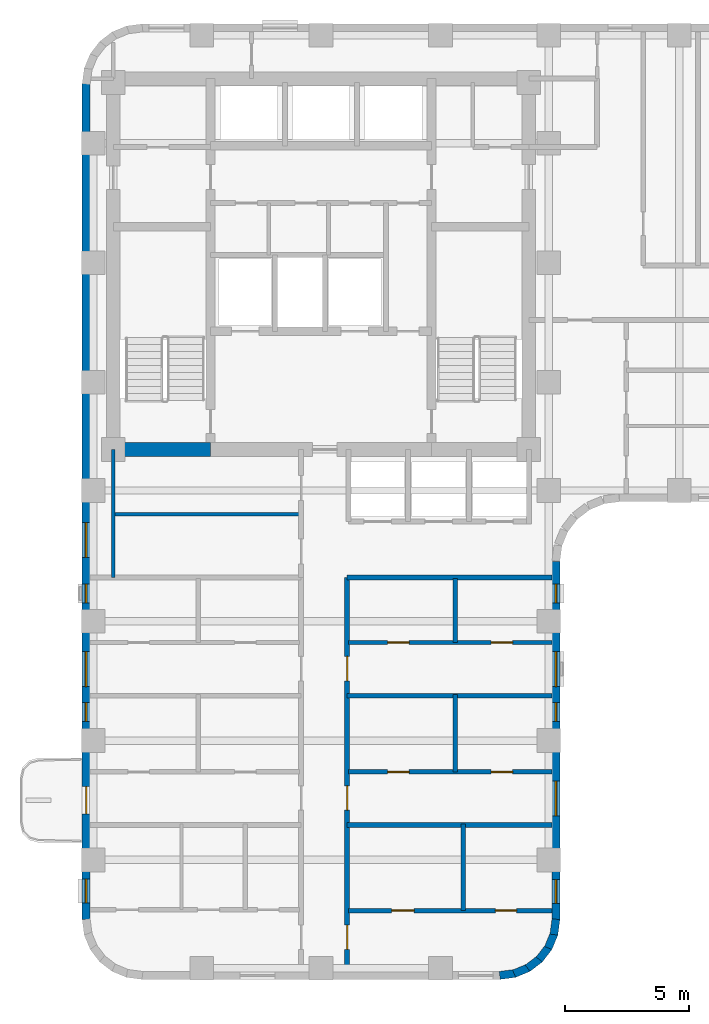
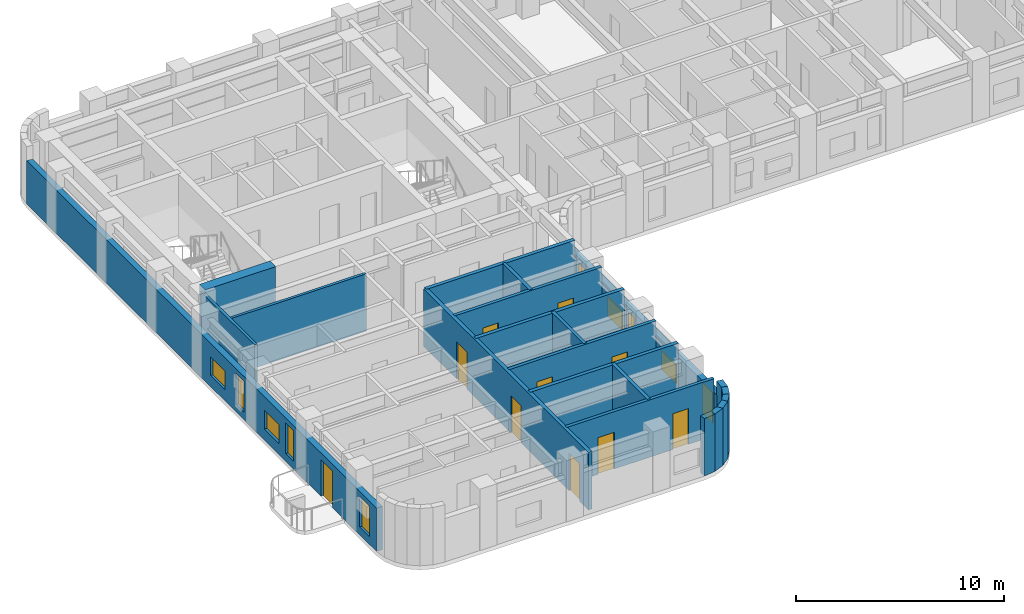
# One storey, part 3 of 10: 21 walls, 10 doors, 10 windows, 20 openings.
"""IFC4 building model written with IfcOpenShell, lengths in metres."""

from ifc_helpers import new_model, si_unit, direction, frame, frame_2d, origin, place, context, subcontext, project, spatial, rectangle, extrude, material, layer, layer_set, type_object, element, fill, save


model = new_model("IFC4")

# Units and contexts
model_context = context("Model", 3, precision=1e-05, world=origin(), true_north=direction((0.0, 1.0)))
body_context = subcontext(model_context, "Body", "Model", "MODEL_VIEW")
ifc_project = project(units=[si_unit("LENGTHUNIT", "METRE"), si_unit("AREAUNIT", "SQUARE_METRE"), si_unit("VOLUMEUNIT", "CUBIC_METRE"), si_unit("PLANEANGLEUNIT", "RADIAN"), si_unit("MASSUNIT", "GRAM", prefix="KILO")], contexts=[model_context])

# Site, building, storey
site_placement = place(None, origin())
site = spatial("IfcSite", under=ifc_project, at=site_placement, CompositionType="ELEMENT")
building_placement = place(site_placement, origin())
building = spatial("IfcBuilding", under=site, at=building_placement, Name="Orvandelia Arch Residences", CompositionType="ELEMENT")
storey_placement = place(building_placement, frame((0.0, 0.0, 118.0)))
storey = spatial("IfcBuildingStorey", under=building, at=storey_placement, Name="L30", CompositionType="ELEMENT", Elevation=118.0)

# Wall
ifc_material_1 = material(Name="Concrete C60/75", Category="concrete")
ifc_layer_1 = layer(ifc_material_1, 0.550048828125, Name="Concrete C60/75", Category="concrete")
ifc_layer_set_1 = layer_set([ifc_layer_1], Name="Concrete C60/75")
wall_type_1 = type_object("IfcWallType", Name="WL-CORE-550", PredefinedType="SHEAR", material=ifc_layer_set_1)
wall_1_placement = place(storey_placement, frame((6.050048828125, 30.89990234375, 0.0), z_axis=(0.0, 0.0, 1.0), x_axis=(1.0, 0.0, 0.0)))
element("IfcWall", 1, at=wall_1_placement, inside=storey, type_object=wall_type_1, Name="Core Shear Wall L30-SW", PredefinedType="SHEAR", context=body_context, shape_type="SweptSolid", body=[
    extrude(rectangle(XDim=3.909912109375, YDim=0.550048828125, at=frame_2d((1.955078125, 0.0))), origin(), (0.0, 0.0, 1.0), 3.60009765625),
])

# Wall, openings, doors
ifc_material_2 = material(Name="Fire-Rated Corridor Partition")
ifc_layer_2 = layer(ifc_material_2, 0.199951171875, Name="Fire-Rated Corridor Partition")
ifc_layer_set_2 = layer_set([ifc_layer_2], Name="Fire-Rated Corridor Partition")
wall_type_2 = type_object("IfcWallType", Name="WL-CORR-200", PredefinedType="PARTITIONING", material=ifc_layer_set_2)
wall_2_placement = place(storey_placement, frame((15.449951171875, 9.919921875, 0.0), z_axis=(0.0, 0.0, 1.0), x_axis=(0.0, 1.0, 0.0)))
wall_2 = element("IfcWall", 2, at=wall_2_placement, inside=storey, type_object=wall_type_2, Name="Interior Partition Wall WL-L30-WC-E", PredefinedType="PARTITIONING", context=body_context, shape_type="SweptSolid", body=[
    extrude(rectangle(XDim=15.830078125, YDim=0.199951171875, at=frame_2d((7.9150390625, 0.0))), origin(), (0.0, 0.0, 1.0), 3.360107421875),
])
opening_1_placement = place(wall_2_placement, frame((0.881103515625, 0.0, 0.0)))
opening_1 = element("IfcOpeningElement", 3, at=opening_1_placement, cuts=wall_2, Name="Opening D1", PredefinedType="OPENING", context=body_context, shape_type="SweptSolid", body=[
    extrude(rectangle(XDim=0.97998046875, YDim=2.179931640625, at=frame_2d((0.489990234375, 1.08984375))), frame((0.0, 0.10986328125, 0.0), z_axis=(0.0, -1.0, 0.0), x_axis=(1.0, 0.0, 0.0)), (0.0, 0.0, 1.0), 0.219970703125),
])
opening_2_placement = place(wall_2_placement, frame((6.47998046875, 0.0, 0.0)))
opening_2 = element("IfcOpeningElement", 4, at=opening_2_placement, cuts=wall_2, Name="Opening D1", PredefinedType="OPENING", context=body_context, shape_type="SweptSolid", body=[
    extrude(rectangle(XDim=0.97998046875, YDim=2.179931640625, at=frame_2d((0.489990234375, 1.08984375))), frame((0.0, 0.10986328125, 0.0), z_axis=(0.0, -1.0, 0.0), x_axis=(1.0, 0.0, 0.0)), (0.0, 0.0, 1.0), 0.219970703125),
])
opening_3_placement = place(wall_2_placement, frame((11.679931640625, 0.0, 0.0)))
opening_3 = element("IfcOpeningElement", 5, at=opening_3_placement, cuts=wall_2, Name="Opening D1", PredefinedType="OPENING", context=body_context, shape_type="SweptSolid", body=[
    extrude(rectangle(XDim=0.97998046875, YDim=2.179931640625, at=frame_2d((0.489990234375, 1.08984375))), frame((0.0, 0.10986328125, 0.0), z_axis=(0.0, -1.0, 0.0), x_axis=(1.0, 0.0, 0.0)), (0.0, 0.0, 1.0), 0.219970703125),
])
ifc_material_3 = material(Name="Solid-Core Timber Acoustic Fire Door", Category="wood")
door_type_1 = type_object("IfcDoorType", Name="DR-ENT-980", OperationType="NOTDEFINED", PredefinedType="DOOR", material=ifc_material_3)
door_1_placement = place(opening_1_placement, origin())
door_1 = element("IfcDoor", 6, at=door_1_placement, inside=storey, type_object=door_type_1, Name="Unit L30-04 Entrance Door", OperationType="SINGLE_SWING_RIGHT", OverallHeight=2.179931640625, OverallWidth=0.97998046875, PredefinedType="DOOR", context=body_context, shape_type="SweptSolid", body=[
    extrude(rectangle(XDim=0.97998046875, YDim=2.179931640625, at=frame_2d((0.489990234375, 1.08984375))), frame((0.0, 0.02490234375, 0.0), z_axis=(0.0, -1.0, 0.0), x_axis=(1.0, 0.0, 0.0)), (0.0, 0.0, 1.0), 0.050048828125),
])
fill(opening_1, door_1)
door_2_placement = place(opening_2_placement, origin())
door_2 = element("IfcDoor", 7, at=door_2_placement, inside=storey, type_object=door_type_1, Name="Unit L30-05 Entrance Door", OperationType="SINGLE_SWING_LEFT", OverallHeight=2.179931640625, OverallWidth=0.97998046875, PredefinedType="DOOR", context=body_context, shape_type="SweptSolid", body=[
    extrude(rectangle(XDim=0.97998046875, YDim=2.179931640625, at=frame_2d((0.489990234375, 1.08984375))), frame((0.0, 0.02490234375, 0.0), z_axis=(0.0, -1.0, 0.0), x_axis=(1.0, 0.0, 0.0)), (0.0, 0.0, 1.0), 0.050048828125),
])
fill(opening_2, door_2)
door_3_placement = place(opening_3_placement, origin())
door_3 = element("IfcDoor", 8, at=door_3_placement, inside=storey, type_object=door_type_1, Name="Unit L30-06 Entrance Door", OperationType="SINGLE_SWING_RIGHT", OverallHeight=2.179931640625, OverallWidth=0.97998046875, PredefinedType="DOOR", context=body_context, shape_type="SweptSolid", body=[
    extrude(rectangle(XDim=0.97998046875, YDim=2.179931640625, at=frame_2d((0.489990234375, 1.08984375))), frame((0.0, 0.02490234375, 0.0), z_axis=(0.0, -1.0, 0.0), x_axis=(1.0, 0.0, 0.0)), (0.0, 0.0, 1.0), 0.050048828125),
])
fill(opening_3, door_3)

# Walls
wall_3_placement = place(storey_placement, frame((15.449951171875, 25.75, 0.0), z_axis=(0.0, 0.0, 1.0), x_axis=(1.0, 0.0, 0.0)))
element("IfcWall", 9, at=wall_3_placement, inside=storey, type_object=wall_type_2, Name="Interior Partition Wall WL-L30-WCLS-E", PredefinedType="PARTITIONING", context=body_context, shape_type="SweptSolid", body=[
    extrude(rectangle(XDim=8.22998046875, YDim=0.199951171875, at=frame_2d((4.114990234375, 0.0))), origin(), (0.0, 0.0, 1.0), 3.360107421875),
])
ifc_material_4 = material(Name="Concrete C40/50", Category="concrete")
ifc_layer_3 = layer(ifc_material_4, 0.199951171875, Name="Concrete C40/50", Category="concrete")
ifc_layer_set_3 = layer_set([ifc_layer_3], Name="Concrete C40/50")
wall_type_3 = type_object("IfcWallType", Name="WL-DEM-200", PredefinedType="SOLIDWALL", material=ifc_layer_set_3)
for number, where, z_axis, x_axis, name in (
    (10, (15.449951171875, 15.800048828125, 0.0), (0.0, 0.0, 1.0), (1.0, 0.0, 0.0), "Interior Partition Wall WL-L30-DEM-WR-158"),
    (11, (15.449951171875, 21.0, 0.0), (0.0, 0.0, 1.0), (1.0, 0.0, 0.0), "Interior Partition Wall WL-L30-DEM-WR-210"),
):
    element("IfcWall", number, at=place(storey_placement, frame(where, z_axis=z_axis, x_axis=x_axis)), inside=storey, type_object=wall_type_3, Name=name, PredefinedType="SOLIDWALL", context=body_context, shape_type="SweptSolid", body=[
        extrude(rectangle(XDim=8.22998046875, YDim=0.199951171875, at=frame_2d((4.114990234375, 0.0))), origin(), (0.0, 0.0, 1.0), 3.360107421875),
    ])

# Wall, openings, windows
ifc_material_5 = material(Name="Precast concrete C40/50", Category="concrete")
ifc_layer_4 = layer(ifc_material_5, 0.320068359375, Name="Precast concrete C40/50", Category="concrete")
ifc_layer_set_4 = layer_set([ifc_layer_4], Name="Precast concrete C40/50")
wall_type_4 = type_object("IfcWallType", Name="WL-EXT-STONE-320", PredefinedType="STANDARD", material=ifc_layer_set_4)
wall_4_placement = place(storey_placement, frame((23.840087890625, 26.39990234375, 0.0), z_axis=(0.0, 0.0, 1.0), x_axis=(0.0, -1.0, 0.0)))
wall_4 = element("IfcWall", 12, at=wall_4_placement, inside=storey, type_object=wall_type_4, Name="Coral-Limestone Precast Facade Wall L30-028", PredefinedType="STANDARD", context=body_context, shape_type="SweptSolid", body=[
    extrude(rectangle(XDim=14.39990234375, YDim=0.320068359375, at=frame_2d((7.199951171875, 0.0))), origin(), (0.0, 0.0, 1.0), 2.5400390625),
])
opening_4_placement = place(wall_4_placement, frame((8.830078125, 0.0, 0.64990234375)))
opening_4 = element("IfcOpeningElement", 13, at=opening_4_placement, cuts=wall_4, Name="Opening W10", PredefinedType="OPENING", context=body_context, shape_type="SweptSolid", body=[
    extrude(rectangle(XDim=1.39990234375, YDim=1.10009765625, at=frame_2d((0.699951171875, 0.550048828125))), frame((0.0, 0.169921875, 0.0), z_axis=(0.0, -1.0, 0.0), x_axis=(1.0, 0.0, 0.0)), (0.0, 0.0, 1.0), 0.340087890625),
])
opening_5_placement = place(wall_4_placement, frame((3.6298828125, 0.0, 0.64990234375)))
opening_5 = element("IfcOpeningElement", 14, at=opening_5_placement, cuts=wall_4, Name="Opening W10", PredefinedType="OPENING", context=body_context, shape_type="SweptSolid", body=[
    extrude(rectangle(XDim=1.39990234375, YDim=1.10009765625, at=frame_2d((0.699951171875, 0.550048828125))), frame((0.0, 0.169921875, 0.0), z_axis=(0.0, -1.0, 0.0), x_axis=(1.0, 0.0, 0.0)), (0.0, 0.0, 1.0), 0.340087890625),
])
opening_6_placement = place(wall_4_placement, frame((12.79052734375, 0.0, 0.449951171875)))
opening_6 = element("IfcOpeningElement", 15, at=opening_6_placement, cuts=wall_4, Name="Opening W4", PredefinedType="OPENING", context=body_context, shape_type="SweptSolid", body=[
    extrude(rectangle(XDim=0.949951171875, YDim=1.800048828125, at=frame_2d((0.47509765625, 0.89990234375))), frame((0.0, 0.169921875, 0.0), z_axis=(0.0, -1.0, 0.0), x_axis=(1.0, 0.0, 0.0)), (0.0, 0.0, 1.0), 0.340087890625),
])
opening_7_placement = place(wall_4_placement, frame((5.677490234375, 0.0, 0.449951171875)))
opening_7 = element("IfcOpeningElement", 16, at=opening_7_placement, cuts=wall_4, Name="Opening W11", PredefinedType="OPENING", context=body_context, shape_type="SweptSolid", body=[
    extrude(rectangle(XDim=0.75, YDim=1.800048828125, at=frame_2d((0.375, 0.89990234375))), frame((0.0, 0.169921875, 0.0), z_axis=(0.0, -1.0, 0.0), x_axis=(1.0, 0.0, 0.0)), (0.0, 0.0, 1.0), 0.340087890625),
])
opening_8_placement = place(wall_4_placement, frame((0.91748046875, 0.0, 0.449951171875)))
opening_8 = element("IfcOpeningElement", 17, at=opening_8_placement, cuts=wall_4, Name="Opening W11", PredefinedType="OPENING", context=body_context, shape_type="SweptSolid", body=[
    extrude(rectangle(XDim=0.75, YDim=1.800048828125, at=frame_2d((0.375, 0.89990234375))), frame((0.0, 0.169921875, 0.0), z_axis=(0.0, -1.0, 0.0), x_axis=(1.0, 0.0, 0.0)), (0.0, 0.0, 1.0), 0.340087890625),
])
ifc_material_6 = material(Name="Tempered Low-E Insulated Glazing", Category="glass")
window_type_1 = type_object("IfcWindowType", Name="WIN-BED-0750x1800", PartitioningType="SINGLE_PANEL", PredefinedType="WINDOW", material=ifc_material_6)
window_1_placement = place(opening_7_placement, origin())
window_1 = element("IfcWindow", 18, at=window_1_placement, inside=storey, type_object=window_type_1, Name="Recessed Punched Window L30-020", OverallHeight=1.800048828125, OverallWidth=0.75, PartitioningType="SINGLE_PANEL", PredefinedType="WINDOW", context=body_context, shape_type="SweptSolid", body=[
    extrude(rectangle(XDim=0.75, YDim=1.800048828125, at=frame_2d((0.375, 0.89990234375))), frame((0.0, 0.030029296875, 0.0), z_axis=(0.0, -1.0, 0.0), x_axis=(1.0, 0.0, 0.0)), (0.0, 0.0, 1.0), 0.06005859375),
])
fill(opening_7, window_1)
window_2_placement = place(opening_8_placement, origin())
window_2 = element("IfcWindow", 19, at=window_2_placement, inside=storey, type_object=window_type_1, Name="Recessed Punched Window L30-021", OverallHeight=1.800048828125, OverallWidth=0.75, PartitioningType="SINGLE_PANEL", PredefinedType="WINDOW", context=body_context, shape_type="SweptSolid", body=[
    extrude(rectangle(XDim=0.75, YDim=1.800048828125, at=frame_2d((0.375, 0.89990234375))), frame((0.0, 0.030029296875, 0.0), z_axis=(0.0, -1.0, 0.0), x_axis=(1.0, 0.0, 0.0)), (0.0, 0.0, 1.0), 0.06005859375),
])
fill(opening_8, window_2)
window_type_2 = type_object("IfcWindowType", Name="WIN-CLR-1400x1100", PartitioningType="SINGLE_PANEL", PredefinedType="WINDOW", material=ifc_material_6)
window_3_placement = place(opening_4_placement, origin())
window_3 = element("IfcWindow", 20, at=window_3_placement, inside=storey, type_object=window_type_2, Name="Recessed Punched Window L30-017", OverallHeight=1.10009765625, OverallWidth=1.39990234375, PartitioningType="SINGLE_PANEL", PredefinedType="WINDOW", context=body_context, shape_type="SweptSolid", body=[
    extrude(rectangle(XDim=1.39990234375, YDim=1.10009765625, at=frame_2d((0.699951171875, 0.550048828125))), frame((0.0, 0.030029296875, 0.0), z_axis=(0.0, -1.0, 0.0), x_axis=(1.0, 0.0, 0.0)), (0.0, 0.0, 1.0), 0.06005859375),
])
fill(opening_4, window_3)
window_4_placement = place(opening_5_placement, origin())
window_4 = element("IfcWindow", 21, at=window_4_placement, inside=storey, type_object=window_type_2, Name="Recessed Punched Window L30-018", OverallHeight=1.10009765625, OverallWidth=1.39990234375, PartitioningType="SINGLE_PANEL", PredefinedType="WINDOW", context=body_context, shape_type="SweptSolid", body=[
    extrude(rectangle(XDim=1.39990234375, YDim=1.10009765625, at=frame_2d((0.699951171875, 0.550048828125))), frame((0.0, 0.030029296875, 0.0), z_axis=(0.0, -1.0, 0.0), x_axis=(1.0, 0.0, 0.0)), (0.0, 0.0, 1.0), 0.06005859375),
])
fill(opening_5, window_4)
window_type_3 = type_object("IfcWindowType", Name="WIN-RES-0950x1800", PartitioningType="SINGLE_PANEL", PredefinedType="WINDOW", material=ifc_material_6)
window_5_placement = place(opening_6_placement, origin())
window_5 = element("IfcWindow", 22, at=window_5_placement, inside=storey, type_object=window_type_3, Name="Recessed Punched Window L30-019", OverallHeight=1.800048828125, OverallWidth=0.949951171875, PartitioningType="SINGLE_PANEL", PredefinedType="WINDOW", context=body_context, shape_type="SweptSolid", body=[
    extrude(rectangle(XDim=0.949951171875, YDim=1.800048828125, at=frame_2d((0.47509765625, 0.89990234375))), frame((0.0, 0.030029296875, 0.0), z_axis=(0.0, -1.0, 0.0), x_axis=(1.0, 0.0, 0.0)), (0.0, 0.0, 1.0), 0.06005859375),
])
fill(opening_6, window_5)

# Walls
wall_5_placement = place(storey_placement, frame((23.84130859375, 12.02099609375, 0.0), z_axis=(0.0, 0.0, 1.0), x_axis=(-0.130504898859, -0.991447664465, 0.0)))
element("IfcWall", 23, at=wall_5_placement, inside=storey, type_object=wall_type_4, Name="Coral-Limestone Precast Facade Wall L30-029", PredefinedType="STANDARD", context=body_context, shape_type="SweptSolid", body=[
    extrude(rectangle(XDim=0.626708984375, YDim=0.320068359375, at=frame_2d((0.3134765625, 0.0))), origin(), (0.0, 0.0, 1.0), 3.360107421875),
])
for number, where, z_axis, x_axis, name in (
    (24, (23.7705078125, 11.43994140625, 0.0), (0.0, 0.0, 1.0), (-0.382650053678, -0.92389335771, 0.0), "Coral-Limestone Precast Facade Wall L30-030"),
    (25, (23.551513671875, 10.8974609375, 0.0), (0.0, 0.0, 1.0), (-0.608693302629, -0.793405610854, 0.0), "Coral-Limestone Precast Facade Wall L30-031"),
    (26, (23.19970703125, 10.4296875, 0.0), (0.0, 0.0, 1.0), (-0.793405610854, -0.608693302629, 0.0), "Coral-Limestone Precast Facade Wall L30-032"),
    (27, (22.73876953125, 10.0693359375, 0.0), (0.0, 0.0, 1.0), (-0.92389335771, -0.382650053678, 0.0), "Coral-Limestone Precast Facade Wall L30-033"),
    (28, (22.2001953125, 9.84033203125, 0.0), (0.0, 0.0, 1.0), (-0.9914410257, -0.130555323746, 0.0), "Coral-Limestone Precast Facade Wall L30-034"),
):
    element("IfcWall", number, at=place(storey_placement, frame(where, z_axis=z_axis, x_axis=x_axis)), inside=storey, type_object=wall_type_4, Name=name, PredefinedType="STANDARD", context=body_context, shape_type="SweptSolid", body=[
        extrude(rectangle(XDim=0.62646484375, YDim=0.320068359375, at=frame_2d((0.313232421875, 0.0))), origin(), (0.0, 0.0, 1.0), 3.360107421875),
    ])

# Wall, openings, door, windows
wall_6_placement = place(storey_placement, frame((4.9599609375, 12.0, 0.0), z_axis=(0.0, 0.0, 1.0), x_axis=(0.0, 1.0, 0.0)))
wall_6 = element("IfcWall", 29, at=wall_6_placement, inside=storey, type_object=wall_type_4, Name="Coral-Limestone Precast Facade Wall L30-042", PredefinedType="STANDARD", context=body_context, shape_type="SweptSolid", body=[
    extrude(rectangle(XDim=33.60009765625, YDim=0.320068359375, at=frame_2d((16.800048828125, 0.0))), origin(), (0.0, 0.0, 1.0), 2.5400390625),
])
opening_9_placement = place(wall_6_placement, frame((4.25, 0.0, 0.0)))
opening_9 = element("IfcOpeningElement", 30, at=opening_9_placement, cuts=wall_6, Name="Opening BD1", PredefinedType="OPENING", context=body_context, shape_type="SweptSolid", body=[
    extrude(rectangle(XDim=1.10009765625, YDim=2.14990234375, at=frame_2d((0.550048828125, 1.074951171875))), frame((0.0, 0.169921875, 0.0), z_axis=(0.0, -1.0, 0.0), x_axis=(1.0, 0.0, 0.0)), (0.0, 0.0, 1.0), 0.340087890625),
])
opening_10_placement = place(wall_6_placement, frame((0.678466796875, 0.0, 0.449951171875)))
opening_10 = element("IfcOpeningElement", 31, at=opening_10_placement, cuts=wall_6, Name="Opening W4", PredefinedType="OPENING", context=body_context, shape_type="SweptSolid", body=[
    extrude(rectangle(XDim=0.949951171875, YDim=1.800048828125, at=frame_2d((0.47509765625, 0.89990234375))), frame((0.0, 0.169921875, 0.0), z_axis=(0.0, -1.0, 0.0), x_axis=(1.0, 0.0, 0.0)), (0.0, 0.0, 1.0), 0.340087890625),
])
opening_11_placement = place(wall_6_placement, frame((9.3701171875, 0.0, 0.64990234375)))
opening_11 = element("IfcOpeningElement", 32, at=opening_11_placement, cuts=wall_6, Name="Opening W10", PredefinedType="OPENING", context=body_context, shape_type="SweptSolid", body=[
    extrude(rectangle(XDim=1.39990234375, YDim=1.10009765625, at=frame_2d((0.699951171875, 0.550048828125))), frame((0.0, 0.169921875, 0.0), z_axis=(0.0, -1.0, 0.0), x_axis=(1.0, 0.0, 0.0)), (0.0, 0.0, 1.0), 0.340087890625),
])
opening_12_placement = place(wall_6_placement, frame((7.972412109375, 0.0, 0.449951171875)))
opening_12 = element("IfcOpeningElement", 33, at=opening_12_placement, cuts=wall_6, Name="Opening W11", PredefinedType="OPENING", context=body_context, shape_type="SweptSolid", body=[
    extrude(rectangle(XDim=0.75, YDim=1.800048828125, at=frame_2d((0.375, 0.89990234375))), frame((0.0, 0.169921875, 0.0), z_axis=(0.0, -1.0, 0.0), x_axis=(1.0, 0.0, 0.0)), (0.0, 0.0, 1.0), 0.340087890625),
])
opening_13_placement = place(wall_6_placement, frame((12.732421875, 0.0, 0.449951171875)))
opening_13 = element("IfcOpeningElement", 34, at=opening_13_placement, cuts=wall_6, Name="Opening W11", PredefinedType="OPENING", context=body_context, shape_type="SweptSolid", body=[
    extrude(rectangle(XDim=0.75, YDim=1.800048828125, at=frame_2d((0.375, 0.89990234375))), frame((0.0, 0.169921875, 0.0), z_axis=(0.0, -1.0, 0.0), x_axis=(1.0, 0.0, 0.0)), (0.0, 0.0, 1.0), 0.340087890625),
])
opening_14_placement = place(wall_6_placement, frame((14.5576171875, 0.0, 0.64990234375)))
opening_14 = element("IfcOpeningElement", 35, at=opening_14_placement, cuts=wall_6, Name="Opening W10", PredefinedType="OPENING", context=body_context, shape_type="SweptSolid", body=[
    extrude(rectangle(XDim=1.39990234375, YDim=1.10009765625, at=frame_2d((0.699951171875, 0.550048828125))), frame((0.0, 0.169921875, 0.0), z_axis=(0.0, -1.0, 0.0), x_axis=(1.0, 0.0, 0.0)), (0.0, 0.0, 1.0), 0.340087890625),
])
ifc_material_7 = material(Name="Thermally Broken Aluminium Glazed Door", Category="aluminium")
door_type_2 = type_object("IfcDoorType", Name="DR-BAL-GLAZ-1100", OperationType="NOTDEFINED", PredefinedType="DOOR", material=ifc_material_7)
door_4_placement = place(opening_9_placement, origin())
door_4 = element("IfcDoor", 36, at=door_4_placement, inside=storey, type_object=door_type_2, Name="Tree Balcony Glazed Door BAL-L30-W1", OperationType="SINGLE_SWING_RIGHT", OverallHeight=2.14990234375, OverallWidth=1.10009765625, PredefinedType="DOOR", context=body_context, shape_type="SweptSolid", body=[
    extrude(rectangle(XDim=1.10009765625, YDim=2.14990234375, at=frame_2d((0.550048828125, 1.074951171875))), frame((0.0, 0.02490234375, 0.0), z_axis=(0.0, -1.0, 0.0), x_axis=(1.0, 0.0, 0.0)), (0.0, 0.0, 1.0), 0.050048828125),
])
fill(opening_9, door_4)
window_6_placement = place(opening_12_placement, origin())
window_6 = element("IfcWindow", 37, at=window_6_placement, inside=storey, type_object=window_type_1, Name="Recessed Punched Window L30-026", OverallHeight=1.800048828125, OverallWidth=0.75, PartitioningType="SINGLE_PANEL", PredefinedType="WINDOW", context=body_context, shape_type="SweptSolid", body=[
    extrude(rectangle(XDim=0.75, YDim=1.800048828125, at=frame_2d((0.375, 0.89990234375))), frame((0.0, 0.030029296875, 0.0), z_axis=(0.0, -1.0, 0.0), x_axis=(1.0, 0.0, 0.0)), (0.0, 0.0, 1.0), 0.06005859375),
])
fill(opening_12, window_6)
window_7_placement = place(opening_13_placement, origin())
window_7 = element("IfcWindow", 38, at=window_7_placement, inside=storey, type_object=window_type_1, Name="Recessed Punched Window L30-027", OverallHeight=1.800048828125, OverallWidth=0.75, PartitioningType="SINGLE_PANEL", PredefinedType="WINDOW", context=body_context, shape_type="SweptSolid", body=[
    extrude(rectangle(XDim=0.75, YDim=1.800048828125, at=frame_2d((0.375, 0.89990234375))), frame((0.0, 0.030029296875, 0.0), z_axis=(0.0, -1.0, 0.0), x_axis=(1.0, 0.0, 0.0)), (0.0, 0.0, 1.0), 0.06005859375),
])
fill(opening_13, window_7)
window_8_placement = place(opening_11_placement, origin())
window_8 = element("IfcWindow", 39, at=window_8_placement, inside=storey, type_object=window_type_2, Name="Recessed Punched Window L30-025", OverallHeight=1.10009765625, OverallWidth=1.39990234375, PartitioningType="SINGLE_PANEL", PredefinedType="WINDOW", context=body_context, shape_type="SweptSolid", body=[
    extrude(rectangle(XDim=1.39990234375, YDim=1.10009765625, at=frame_2d((0.699951171875, 0.550048828125))), frame((0.0, 0.030029296875, 0.0), z_axis=(0.0, -1.0, 0.0), x_axis=(1.0, 0.0, 0.0)), (0.0, 0.0, 1.0), 0.06005859375),
])
fill(opening_11, window_8)
window_9_placement = place(opening_14_placement, origin())
window_9 = element("IfcWindow", 40, at=window_9_placement, inside=storey, type_object=window_type_2, Name="Recessed Punched Window L30-028", OverallHeight=1.10009765625, OverallWidth=1.39990234375, PartitioningType="SINGLE_PANEL", PredefinedType="WINDOW", context=body_context, shape_type="SweptSolid", body=[
    extrude(rectangle(XDim=1.39990234375, YDim=1.10009765625, at=frame_2d((0.699951171875, 0.550048828125))), frame((0.0, 0.030029296875, 0.0), z_axis=(0.0, -1.0, 0.0), x_axis=(1.0, 0.0, 0.0)), (0.0, 0.0, 1.0), 0.06005859375),
])
fill(opening_14, window_9)
window_10_placement = place(opening_10_placement, origin())
window_10 = element("IfcWindow", 41, at=window_10_placement, inside=storey, type_object=window_type_3, Name="Recessed Punched Window L30-024", OverallHeight=1.800048828125, OverallWidth=0.949951171875, PartitioningType="SINGLE_PANEL", PredefinedType="WINDOW", context=body_context, shape_type="SweptSolid", body=[
    extrude(rectangle(XDim=0.949951171875, YDim=1.800048828125, at=frame_2d((0.47509765625, 0.89990234375))), frame((0.0, 0.030029296875, 0.0), z_axis=(0.0, -1.0, 0.0), x_axis=(1.0, 0.0, 0.0)), (0.0, 0.0, 1.0), 0.06005859375),
])
fill(opening_10, window_10)

# Walls
ifc_material_8 = material(Name="Acoustic Gypsum Stud Partition")
ifc_layer_5 = layer(ifc_material_8, 0.14990234375, Name="Acoustic Gypsum Stud Partition")
ifc_layer_set_5 = layer_set([ifc_layer_5], Name="Acoustic Gypsum Stud Partition")
wall_type_5 = type_object("IfcWallType", Name="WL-PART-150", PredefinedType="PARTITIONING", material=ifc_layer_set_5)
wall_7_placement = place(storey_placement, frame((6.050048828125, 25.75, 0.0), z_axis=(0.0, 0.0, 1.0), x_axis=(0.0, 1.0, 0.0)))
element("IfcWall", 42, at=wall_7_placement, inside=storey, type_object=wall_type_5, Name="Interior Partition Wall WL-L30-B1REUSE-W", PredefinedType="PARTITIONING", context=body_context, shape_type="SweptSolid", body=[
    extrude(rectangle(XDim=5.14990234375, YDim=0.14990234375, at=frame_2d((2.574951171875, 0.0))), origin(), (0.0, 0.0, 1.0), 3.360107421875),
])
wall_8_placement = place(storey_placement, frame((6.050048828125, 28.300048828125, 0.0), z_axis=(0.0, 0.0, 1.0), x_axis=(1.0, 0.0, 0.0)))
element("IfcWall", 43, at=wall_8_placement, inside=storey, type_object=wall_type_5, Name="Interior Partition Wall WL-L30-B1R-H", PredefinedType="PARTITIONING", context=body_context, shape_type="SweptSolid", body=[
    extrude(rectangle(XDim=7.550048828125, YDim=0.14990234375, at=frame_2d((3.77490234375, 0.0))), origin(), (0.0, 0.0, 1.0), 3.360107421875),
])

# Wall, openings, doors
ifc_material_9 = material(Name="Moisture-Resistant Plumbing Wall")
ifc_layer_6 = layer(ifc_material_9, 0.179931640625, Name="Moisture-Resistant Plumbing Wall")
ifc_layer_set_6 = layer_set([ifc_layer_6], Name="Moisture-Resistant Plumbing Wall")
wall_type_6 = type_object("IfcWallType", Name="WL-WET-180", PredefinedType="PLUMBINGWALL", material=ifc_layer_set_6)
wall_9_placement = place(storey_placement, frame((15.510009765625, 12.364013671875, 0.0), z_axis=(0.0, 0.0, 1.0), x_axis=(1.0, 0.0, 0.0)))
wall_9 = element("IfcWall", 44, at=wall_9_placement, inside=storey, type_object=wall_type_6, Name="Interior Partition Wall WL-L30-U04-HZ", PredefinedType="PLUMBINGWALL", context=body_context, shape_type="SweptSolid", body=[
    extrude(rectangle(XDim=8.169921875, YDim=0.179931640625, at=frame_2d((4.0849609375, 0.0))), origin(), (0.0, 0.0, 1.0), 3.360107421875),
])
opening_15_placement = place(wall_9_placement, frame((1.7294921875, 0.0, 0.0)))
opening_15 = element("IfcOpeningElement", 45, at=opening_15_placement, cuts=wall_9, Name="Opening D3", PredefinedType="OPENING", context=body_context, shape_type="SweptSolid", body=[
    extrude(rectangle(XDim=0.89990234375, YDim=2.14990234375, at=frame_2d((0.449951171875, 1.074951171875))), frame((0.0, 0.10009765625, 0.0), z_axis=(0.0, -1.0, 0.0), x_axis=(1.0, 0.0, 0.0)), (0.0, 0.0, 1.0), 0.199951171875),
])
opening_16_placement = place(wall_9_placement, frame((5.89453125, 0.0, 0.0)))
opening_16 = element("IfcOpeningElement", 46, at=opening_16_placement, cuts=wall_9, Name="Opening D4", PredefinedType="OPENING", context=body_context, shape_type="SweptSolid", body=[
    extrude(rectangle(XDim=0.860107421875, YDim=2.10009765625, at=frame_2d((0.43017578125, 1.050048828125))), frame((0.0, 0.10009765625, 0.0), z_axis=(0.0, -1.0, 0.0), x_axis=(1.0, 0.0, 0.0)), (0.0, 0.0, 1.0), 0.199951171875),
])
ifc_material_10 = material(Name="Engineered Timber Flush Door", Category="wood")
door_type_3 = type_object("IfcDoorType", Name="DR-INT-900", OperationType="NOTDEFINED", PredefinedType="DOOR", material=ifc_material_10)
door_5_placement = place(opening_15_placement, origin())
door_5 = element("IfcDoor", 47, at=door_5_placement, inside=storey, type_object=door_type_3, Name="DR-L30-U04-KIT", OperationType="SINGLE_SWING_RIGHT", OverallHeight=2.14990234375, OverallWidth=0.89990234375, PredefinedType="DOOR", context=body_context, shape_type="SweptSolid", body=[
    extrude(rectangle(XDim=0.89990234375, YDim=2.14990234375, at=frame_2d((0.449951171875, 1.074951171875))), frame((0.0, 0.02490234375, 0.0), z_axis=(0.0, -1.0, 0.0), x_axis=(1.0, 0.0, 0.0)), (0.0, 0.0, 1.0), 0.050048828125),
])
fill(opening_15, door_5)
ifc_material_11 = material(Name="Moisture-Sealed Timber Bathroom Door", Category="wood")
door_type_4 = type_object("IfcDoorType", Name="DR-WET-900", OperationType="NOTDEFINED", PredefinedType="DOOR", material=ifc_material_11)
door_6_placement = place(opening_16_placement, origin())
door_6 = element("IfcDoor", 48, at=door_6_placement, inside=storey, type_object=door_type_4, Name="DR-L30-U04-BTH", OperationType="SINGLE_SWING_LEFT", OverallHeight=2.10009765625, OverallWidth=0.860107421875, PredefinedType="DOOR", context=body_context, shape_type="SweptSolid", body=[
    extrude(rectangle(XDim=0.860107421875, YDim=2.10009765625, at=frame_2d((0.43017578125, 1.050048828125))), frame((0.0, 0.02490234375, 0.0), z_axis=(0.0, -1.0, 0.0), x_axis=(1.0, 0.0, 0.0)), (0.0, 0.0, 1.0), 0.050048828125),
])
fill(opening_16, door_6)

# Wall
wall_10_placement = place(storey_placement, frame((20.118896484375, 12.364013671875, 0.0), z_axis=(0.0, 0.0, 1.0), x_axis=(0.0, 1.0, 0.0)))
element("IfcWall", 49, at=wall_10_placement, inside=storey, type_object=wall_type_6, Name="Interior Partition Wall WL-L30-U04-V1", PredefinedType="PLUMBINGWALL", context=body_context, shape_type="SweptSolid", body=[
    extrude(rectangle(XDim=3.47607421875, YDim=0.179931640625, at=frame_2d((1.738037109375, 0.0))), origin(), (0.0, 0.0, 1.0), 3.360107421875),
])

# Wall, openings, doors
wall_11_placement = place(storey_placement, frame((15.510009765625, 17.93994140625, 0.0), z_axis=(0.0, 0.0, 1.0), x_axis=(1.0, 0.0, 0.0)))
wall_11 = element("IfcWall", 50, at=wall_11_placement, inside=storey, type_object=wall_type_6, Name="Interior Partition Wall WL-L30-U05-HZ", PredefinedType="PLUMBINGWALL", context=body_context, shape_type="SweptSolid", body=[
    extrude(rectangle(XDim=8.169921875, YDim=0.179931640625, at=frame_2d((4.0849609375, 0.0))), origin(), (0.0, 0.0, 1.0), 3.360107421875),
])
opening_17_placement = place(wall_11_placement, frame((1.56494140625, 0.0, 0.0)))
opening_17 = element("IfcOpeningElement", 51, at=opening_17_placement, cuts=wall_11, Name="Opening D4", PredefinedType="OPENING", context=body_context, shape_type="SweptSolid", body=[
    extrude(rectangle(XDim=0.860107421875, YDim=2.10009765625, at=frame_2d((0.43017578125, 1.050048828125))), frame((0.0, 0.10009765625, 0.0), z_axis=(0.0, -1.0, 0.0), x_axis=(1.0, 0.0, 0.0)), (0.0, 0.0, 1.0), 0.199951171875),
])
opening_18_placement = place(wall_11_placement, frame((5.72998046875, 0.0, 0.0)))
opening_18 = element("IfcOpeningElement", 52, at=opening_18_placement, cuts=wall_11, Name="Opening D4", PredefinedType="OPENING", context=body_context, shape_type="SweptSolid", body=[
    extrude(rectangle(XDim=0.860107421875, YDim=2.10009765625, at=frame_2d((0.43017578125, 1.050048828125))), frame((0.0, 0.10009765625, 0.0), z_axis=(0.0, -1.0, 0.0), x_axis=(1.0, 0.0, 0.0)), (0.0, 0.0, 1.0), 0.199951171875),
])
door_7_placement = place(opening_17_placement, origin())
door_7 = element("IfcDoor", 53, at=door_7_placement, inside=storey, type_object=door_type_4, Name="DR-L30-U05-KIT", OperationType="SINGLE_SWING_LEFT", OverallHeight=2.10009765625, OverallWidth=0.860107421875, PredefinedType="DOOR", context=body_context, shape_type="SweptSolid", body=[
    extrude(rectangle(XDim=0.860107421875, YDim=2.10009765625, at=frame_2d((0.43017578125, 1.050048828125))), frame((0.0, 0.02490234375, 0.0), z_axis=(0.0, -1.0, 0.0), x_axis=(1.0, 0.0, 0.0)), (0.0, 0.0, 1.0), 0.050048828125),
])
fill(opening_17, door_7)
door_8_placement = place(opening_18_placement, origin())
door_8 = element("IfcDoor", 54, at=door_8_placement, inside=storey, type_object=door_type_4, Name="DR-L30-U05-BTH", OperationType="SINGLE_SWING_RIGHT", OverallHeight=2.10009765625, OverallWidth=0.860107421875, PredefinedType="DOOR", context=body_context, shape_type="SweptSolid", body=[
    extrude(rectangle(XDim=0.860107421875, YDim=2.10009765625, at=frame_2d((0.43017578125, 1.050048828125))), frame((0.0, 0.02490234375, 0.0), z_axis=(0.0, -1.0, 0.0), x_axis=(1.0, 0.0, 0.0)), (0.0, 0.0, 1.0), 0.050048828125),
])
fill(opening_18, door_8)

# Wall
wall_12_placement = place(storey_placement, frame((19.7900390625, 17.93994140625, 0.0), z_axis=(0.0, 0.0, 1.0), x_axis=(0.0, 1.0, 0.0)))
element("IfcWall", 55, at=wall_12_placement, inside=storey, type_object=wall_type_6, Name="Interior Partition Wall WL-L30-U05-V1", PredefinedType="PLUMBINGWALL", context=body_context, shape_type="SweptSolid", body=[
    extrude(rectangle(XDim=3.10009765625, YDim=0.179931640625, at=frame_2d((1.550048828125, 0.0))), origin(), (0.0, 0.0, 1.0), 3.360107421875),
])

# Wall, openings, doors
wall_13_placement = place(storey_placement, frame((15.510009765625, 23.139892578125, 0.0), z_axis=(0.0, 0.0, 1.0), x_axis=(1.0, 0.0, 0.0)))
wall_13 = element("IfcWall", 56, at=wall_13_placement, inside=storey, type_object=wall_type_6, Name="Interior Partition Wall WL-L30-U06-HZ", PredefinedType="PLUMBINGWALL", context=body_context, shape_type="SweptSolid", body=[
    extrude(rectangle(XDim=8.169921875, YDim=0.179931640625, at=frame_2d((4.0849609375, 0.0))), origin(), (0.0, 0.0, 1.0), 3.360107421875),
])
opening_19_placement = place(wall_13_placement, frame((1.56494140625, 0.0, 0.0)))
opening_19 = element("IfcOpeningElement", 57, at=opening_19_placement, cuts=wall_13, Name="Opening D4", PredefinedType="OPENING", context=body_context, shape_type="SweptSolid", body=[
    extrude(rectangle(XDim=0.860107421875, YDim=2.10009765625, at=frame_2d((0.43017578125, 1.050048828125))), frame((0.0, 0.10009765625, 0.0), z_axis=(0.0, -1.0, 0.0), x_axis=(1.0, 0.0, 0.0)), (0.0, 0.0, 1.0), 0.199951171875),
])
opening_20_placement = place(wall_13_placement, frame((5.72998046875, 0.0, 0.0)))
opening_20 = element("IfcOpeningElement", 58, at=opening_20_placement, cuts=wall_13, Name="Opening D4", PredefinedType="OPENING", context=body_context, shape_type="SweptSolid", body=[
    extrude(rectangle(XDim=0.860107421875, YDim=2.10009765625, at=frame_2d((0.43017578125, 1.050048828125))), frame((0.0, 0.10009765625, 0.0), z_axis=(0.0, -1.0, 0.0), x_axis=(1.0, 0.0, 0.0)), (0.0, 0.0, 1.0), 0.199951171875),
])
door_9_placement = place(opening_19_placement, origin())
door_9 = element("IfcDoor", 59, at=door_9_placement, inside=storey, type_object=door_type_4, Name="DR-L30-U06-KIT", OperationType="SINGLE_SWING_RIGHT", OverallHeight=2.10009765625, OverallWidth=0.860107421875, PredefinedType="DOOR", context=body_context, shape_type="SweptSolid", body=[
    extrude(rectangle(XDim=0.860107421875, YDim=2.10009765625, at=frame_2d((0.43017578125, 1.050048828125))), frame((0.0, 0.02490234375, 0.0), z_axis=(0.0, -1.0, 0.0), x_axis=(1.0, 0.0, 0.0)), (0.0, 0.0, 1.0), 0.050048828125),
])
fill(opening_19, door_9)
door_10_placement = place(opening_20_placement, origin())
door_10 = element("IfcDoor", 60, at=door_10_placement, inside=storey, type_object=door_type_4, Name="DR-L30-U06-BTH", OperationType="SINGLE_SWING_LEFT", OverallHeight=2.10009765625, OverallWidth=0.860107421875, PredefinedType="DOOR", context=body_context, shape_type="SweptSolid", body=[
    extrude(rectangle(XDim=0.860107421875, YDim=2.10009765625, at=frame_2d((0.43017578125, 1.050048828125))), frame((0.0, 0.02490234375, 0.0), z_axis=(0.0, -1.0, 0.0), x_axis=(1.0, 0.0, 0.0)), (0.0, 0.0, 1.0), 0.050048828125),
])
fill(opening_20, door_10)

# Wall
wall_14_placement = place(storey_placement, frame((19.7900390625, 23.139892578125, 0.0), z_axis=(0.0, 0.0, 1.0), x_axis=(0.0, 1.0, 0.0)))
element("IfcWall", 61, at=wall_14_placement, inside=storey, type_object=wall_type_6, Name="Interior Partition Wall WL-L30-U06-V1", PredefinedType="PLUMBINGWALL", context=body_context, shape_type="SweptSolid", body=[
    extrude(rectangle(XDim=2.580078125, YDim=0.179931640625, at=frame_2d((1.2900390625, 0.0))), origin(), (0.0, 0.0, 1.0), 3.360107421875),
])

save(model, "model.ifc")
